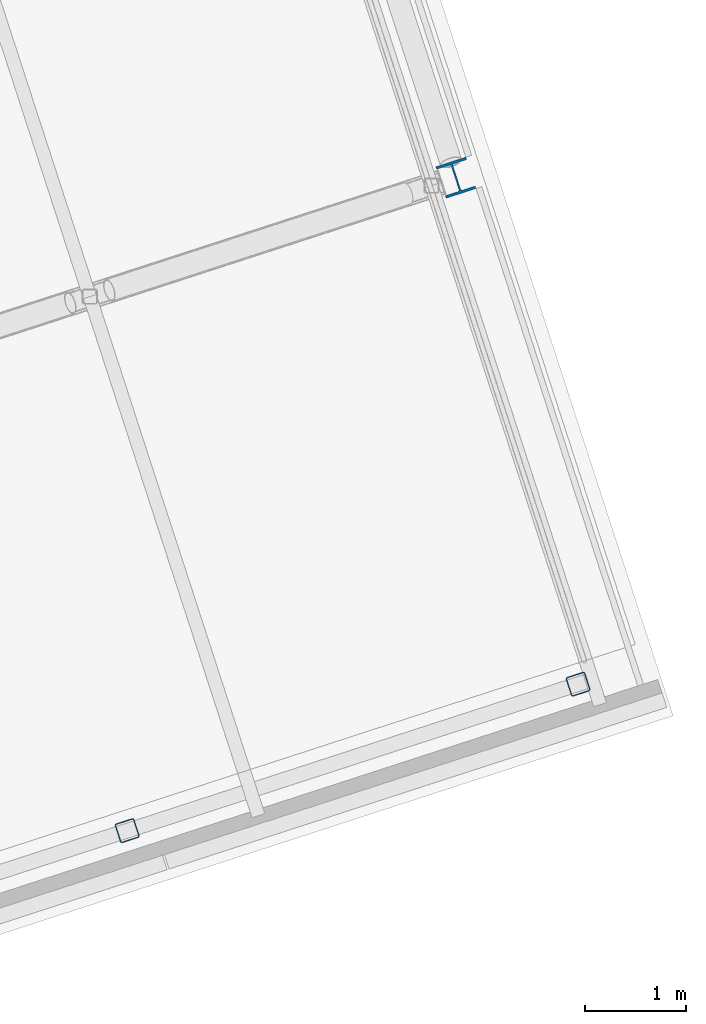
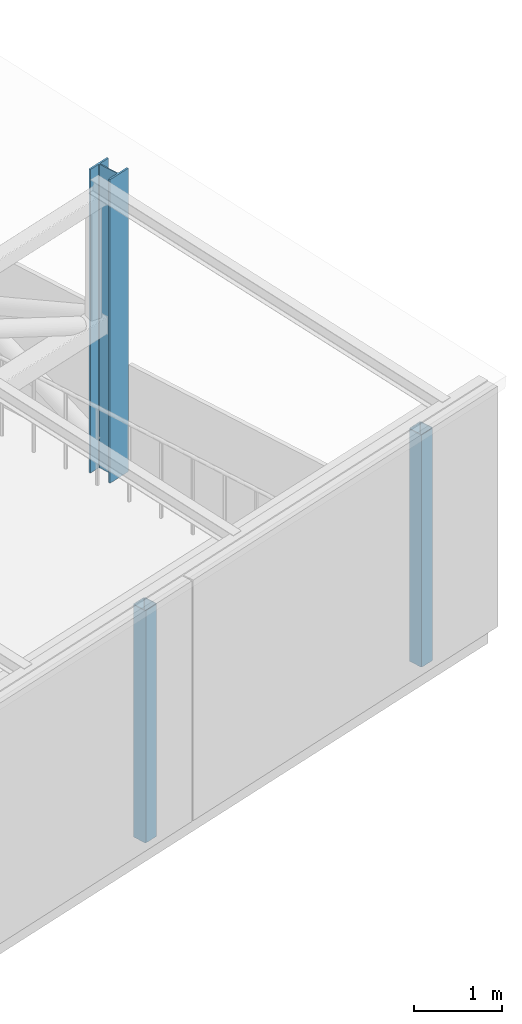
# One storey, part 2 of 49: 3 columns.
"""IFC4 building model written with IfcOpenShell, lengths in metres."""

from ifc_helpers import new_model, si_unit, direction, frame, origin, origin_2d, place, context, subcontext, project, spatial, hollow_rectangle, i_section, extrude, material, material_profile, profile_set, type_object, element, save


model = new_model("IFC4")

# Units and contexts
model_context = context("Model", 3, precision=1e-05, world=origin(), true_north=direction((0.0, 1.0)))
body_context = subcontext(model_context, "Body", "Model", "MODEL_VIEW")
ifc_project = project(units=[si_unit("LENGTHUNIT", "METRE"), si_unit("AREAUNIT", "SQUARE_METRE"), si_unit("VOLUMEUNIT", "CUBIC_METRE"), si_unit("PLANEANGLEUNIT", "RADIAN"), si_unit("MASSUNIT", "GRAM", prefix="KILO")], contexts=[model_context])

# Site, building, storey
site_placement = place(None, origin())
site = spatial("IfcSite", under=ifc_project, at=site_placement, CompositionType="ELEMENT")
building_placement = place(site_placement, origin())
building = spatial("IfcBuilding", under=site, at=building_placement, Name="Tuart Plaza Theatre", CompositionType="ELEMENT")
storey_placement = place(building_placement, frame((0.0, 0.0, 29.5)))
storey = spatial("IfcBuildingStorey", under=building, at=storey_placement, Name="L07", CompositionType="ELEMENT", Elevation=29.5)

# Columns
ifc_material_1 = material(Name="Steel Grade C350L0", Category="steel")
ifc_material_profile_1 = material_profile(ifc_material_1, hollow_rectangle(XDim=0.199951171875, YDim=0.199951171875, WallThickness=0.010009765625, InnerFilletRadius=0.010009765625, OuterFilletRadius=0.02001953125, at=origin_2d()), Name="200x200x10 SHS")
ifc_profile_set_1 = profile_set([ifc_material_profile_1], Name="Steel Grade C350L0")
column_type_1 = type_object("IfcColumnType", Name="COLUMN 200x200x10 SHS", PredefinedType="COLUMN", material=ifc_profile_set_1)
for number, where, z_axis, x_axis, name in (
    (1, (64.077880859375, 76.01513671875, 0.0), (0.0, 0.0, 1.0), (0.951056516295, 0.309016994375, 0.0), "SC23"),
    (2, (68.5478515625, 77.467529296875, 0.0), (0.0, 0.0, 1.0), (0.951056516295, 0.309016994375, 0.0), "SC24"),
):
    element("IfcColumn", number, at=place(storey_placement, frame(where, z_axis=z_axis, x_axis=x_axis)), inside=storey, type_object=column_type_1, Name=name, PredefinedType="COLUMN", context=body_context, shape_type="SweptSolid", body=[
        extrude(hollow_rectangle(XDim=0.199951171875, YDim=0.199951171875, WallThickness=0.010009765625, InnerFilletRadius=0.010009765625, OuterFilletRadius=0.02001953125, at=origin_2d()), origin(), (0.0, 0.0, 1.0), 3.23046875),
    ])
ifc_material_2 = material(Name="Steel Grade 300", Category="steel")
ifc_material_profile_2 = material_profile(ifc_material_2, i_section(OverallWidth=0.31103515625, OverallDepth=0.326904296875, WebThickness=0.015625, FlangeThickness=0.02490234375, FilletRadius=0.0166015625, at=origin_2d()), Name="310UC158")
ifc_profile_set_2 = profile_set([ifc_material_profile_2], Name="Steel Grade 300")
column_type_2 = type_object("IfcColumnType", Name="COLUMN 310UC158", PredefinedType="COLUMN", material=ifc_profile_set_2)
column_placement = place(storey_placement, frame((67.336669921875, 82.489013671875, 0.0), z_axis=(0.0, 0.0, 1.0), x_axis=(0.951056516295, 0.309016994375, 0.0)))
element("IfcColumn", 3, at=column_placement, inside=storey, type_object=column_type_2, Name="SC6", PredefinedType="COLUMN", context=body_context, shape_type="SweptSolid", body=[
    extrude(i_section(OverallWidth=0.31103515625, OverallDepth=0.326904296875, WebThickness=0.015625, FlangeThickness=0.02490234375, FilletRadius=0.0166015625, at=origin_2d()), origin(), (0.0, 0.0, 1.0), 4.222412109375),
])

save(model, "model.ifc")
